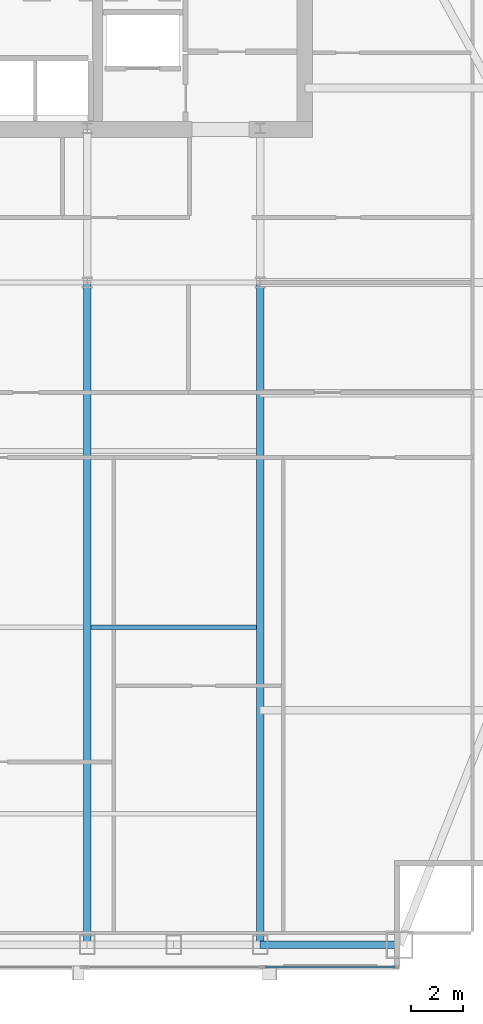
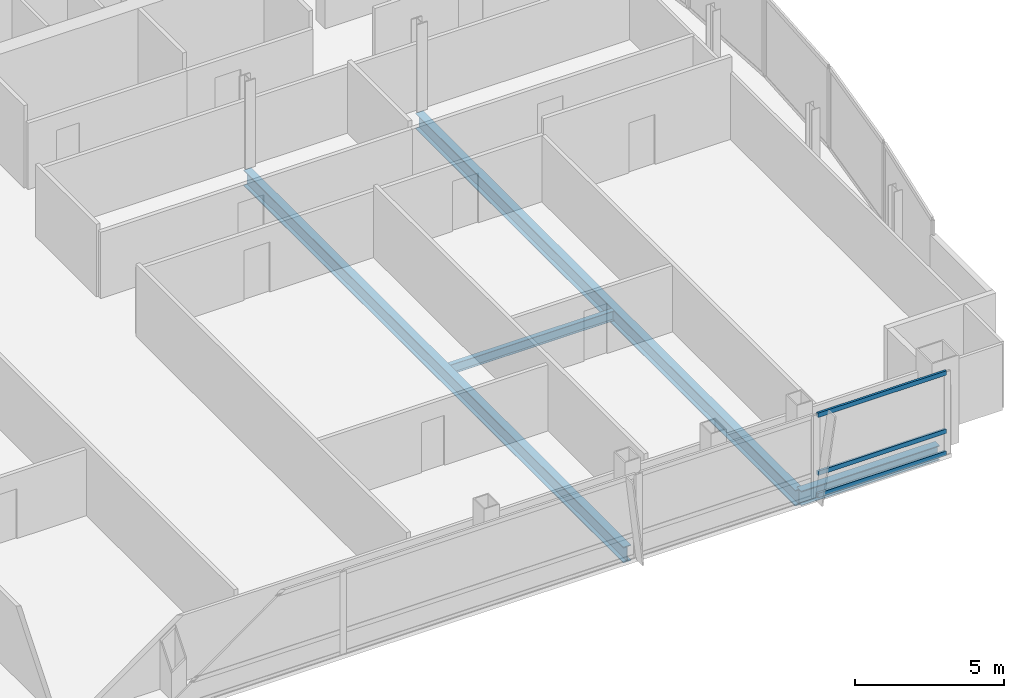
# One storey, part 15 of 30: 4 beams, 3 members, 1 element without a shape of its own.
"""IFC4 building model written with IfcOpenShell, lengths in metres."""

from ifc_helpers import new_model, si_unit, direction, frame, origin, origin_2d, place, context, subcontext, project, spatial, hollow_rectangle, i_section, extrude, material, material_profile, profile_set, type_object, element, aggregate, save


model = new_model("IFC4")

# Units and contexts
model_context = context("Model", 3, precision=1e-05, world=origin(), true_north=direction((0.0, 1.0)))
body_context = subcontext(model_context, "Body", "Model", "MODEL_VIEW")
ifc_project = project(units=[si_unit("LENGTHUNIT", "METRE"), si_unit("AREAUNIT", "SQUARE_METRE"), si_unit("VOLUMEUNIT", "CUBIC_METRE"), si_unit("PLANEANGLEUNIT", "RADIAN"), si_unit("MASSUNIT", "GRAM", prefix="KILO")], contexts=[model_context])

# Site, building, storey
site_placement = place(None, origin())
site = spatial("IfcSite", under=ifc_project, at=site_placement, CompositionType="ELEMENT")
building_placement = place(site_placement, origin())
building = spatial("IfcBuilding", under=site, at=building_placement, Name="Khoronbel Lancet Exchange", CompositionType="ELEMENT")
storey_placement = place(building_placement, frame((0.0, 0.0, 253.39990234375)))
storey = spatial("IfcBuildingStorey", under=building, at=storey_placement, Name="L65", CompositionType="ELEMENT", Elevation=253.39990234375)

# Beams
ifc_material_1 = material(Name="Steel S355", Category="steel")
ifc_material_profile_1 = material_profile(ifc_material_1, i_section(OverallWidth=0.300048828125, OverallDepth=0.64990234375, WebThickness=0.01611328125, FlangeThickness=0.031005859375, at=origin_2d()), Name="HEB 650")
ifc_profile_set_1 = profile_set([ifc_material_profile_1], Name="Steel S355")
beam_type_1 = type_object("IfcBeamType", Name="BM-BG4", PredefinedType="BEAM", material=ifc_profile_set_1)
for number, where, z_axis, x_axis, name in (
    (1, (48.0, 10.14990234375, -0.48486328125), (0.0, 1.0, 0.0), (-1.0, 0.0, 0.0), "Level L65 south primary girder GS5"),
    (2, (54.675048828125, 10.14990234375, -0.48486328125), (0.0, 1.0, 0.0), (-1.0, 0.0, 0.0), "Level L65 south primary girder GS6"),
):
    element("IfcBeam", number, at=place(storey_placement, frame(where, z_axis=z_axis, x_axis=x_axis)), inside=storey, type_object=beam_type_1, Name=name, PredefinedType="BEAM", context=body_context, shape_type="SweptSolid", body=[
        extrude(i_section(OverallWidth=0.300048828125, OverallDepth=0.64990234375, WebThickness=0.01611328125, FlangeThickness=0.031005859375, at=origin_2d()), origin(), (0.0, 0.0, 1.0), 25.550048828125),
    ])
ifc_material_profile_2 = material_profile(ifc_material_1, i_section(OverallWidth=0.179931640625, OverallDepth=0.39990234375, WebThickness=0.008544921875, FlangeThickness=0.013427734375, at=origin_2d()), Name="IPE 400")
ifc_profile_set_2 = profile_set([ifc_material_profile_2], Name="Steel S355")
beam_type_2 = type_object("IfcBeamType", Name="BM-BJ5", PredefinedType="JOIST", material=ifc_profile_set_2)
beam_1_placement = place(storey_placement, frame((48.14990234375, 22.39990234375, -0.35986328125), z_axis=(1.0, 0.0, 0.0), x_axis=(0.0, 1.0, 0.0)))
element("IfcBeam", 3, at=beam_1_placement, inside=storey, type_object=beam_type_2, Name="Level L65 secondary composite joist J10", PredefinedType="JOIST", context=body_context, shape_type="SweptSolid", body=[
    extrude(i_section(OverallWidth=0.179931640625, OverallDepth=0.39990234375, WebThickness=0.008544921875, FlangeThickness=0.013427734375, at=origin_2d()), origin(), (0.0, 0.0, 1.0), 6.375),
])
ifc_material_profile_3 = material_profile(ifc_material_1, i_section(OverallWidth=0.300048828125, OverallDepth=0.60009765625, WebThickness=0.015380859375, FlangeThickness=0.030029296875, at=origin_2d()), Name="HEB 600")
ifc_profile_set_3 = profile_set([ifc_material_profile_3], Name="Steel S355")
beam_type_3 = type_object("IfcBeamType", Name="BM-BSP2", PredefinedType="SPANDREL", material=ifc_profile_set_3)
beam_2_placement = place(storey_placement, frame((54.675048828125, 10.14990234375, -0.4599609375), z_axis=(1.0, 0.0, 0.0), x_axis=(0.0, 1.0, 0.0)))
element("IfcBeam", 4, at=beam_2_placement, inside=storey, type_object=beam_type_3, Name="Level L65 perimeter spandrel beam SP09", PredefinedType="SPANDREL", context=body_context, shape_type="SweptSolid", body=[
    extrude(i_section(OverallWidth=0.300048828125, OverallDepth=0.60009765625, WebThickness=0.015380859375, FlangeThickness=0.030029296875, at=origin_2d()), origin(), (0.0, 0.0, 1.0), 5.375),
])

# Curtain wall, members
ifc_material_2 = material(Name="Low-E Solar Control Insulating Glass", Category="glass")
curtain_wall_type = type_object("IfcCurtainWallType", Name="CW-3", PredefinedType="NOTDEFINED", material=ifc_material_2)
curtain_wall_placement = place(storey_placement, origin())
curtain_wall = element("IfcCurtainWall", 5, at=curtain_wall_placement, inside=storey, type_object=curtain_wall_type, Name="Unitised curtain wall CW-L65-SEV", PredefinedType="NOTDEFINED")
ifc_material_3 = material(Name="Bronze-Anodised Aluminium 6063-T6", Category="aluminium")
ifc_material_profile_4 = material_profile(ifc_material_3, hollow_rectangle(XDim=0.0849609375, YDim=0.179931640625, WallThickness=0.0048828125, at=origin_2d()), Name="ALU TRANSOM 85x180")
ifc_profile_set_4 = profile_set([ifc_material_profile_4], Name="Bronze-Anodised Aluminium 6063-T6")
member_type = type_object("IfcMemberType", Name="MEM-CWT1", PredefinedType="USERDEFINED", material=ifc_profile_set_4)
member_1_placement = place(storey_placement, frame((54.885009765625, 9.2900390625, 0.04248046875), z_axis=(1.0, 0.0, 0.0), x_axis=(0.0, 1.0, 0.0)))
member_1 = element("IfcMember", 6, at=member_1_placement, type_object=member_type, Name="CW3 transom 1.1", ObjectType="TRANSOM", PredefinedType="USERDEFINED", context=body_context, shape_type="SweptSolid", body=[
    extrude(hollow_rectangle(XDim=0.0849609375, YDim=0.179931640625, WallThickness=0.0048828125, at=origin_2d()), origin(), (0.0, 0.0, 1.0), 4.989990234375),
])
member_2_placement = place(storey_placement, frame((54.885009765625, 9.2900390625, 0.9501953125), z_axis=(1.0, 0.0, 0.0), x_axis=(0.0, 1.0, 0.0)))
member_2 = element("IfcMember", 7, at=member_2_placement, type_object=member_type, Name="CW3 transom 1.2", ObjectType="TRANSOM", PredefinedType="USERDEFINED", context=body_context, shape_type="SweptSolid", body=[
    extrude(hollow_rectangle(XDim=0.0849609375, YDim=0.179931640625, WallThickness=0.0048828125, at=origin_2d()), origin(), (0.0, 0.0, 1.0), 4.989990234375),
])
member_3_placement = place(storey_placement, frame((54.885009765625, 9.2900390625, 3.337646484375), z_axis=(1.0, 0.0, 0.0), x_axis=(0.0, 1.0, 0.0)))
member_3 = element("IfcMember", 8, at=member_3_placement, type_object=member_type, Name="CW3 transom 1.3", ObjectType="TRANSOM", PredefinedType="USERDEFINED", context=body_context, shape_type="SweptSolid", body=[
    extrude(hollow_rectangle(XDim=0.0849609375, YDim=0.179931640625, WallThickness=0.0048828125, at=origin_2d()), origin(), (0.0, 0.0, 1.0), 4.989990234375),
])
aggregate(curtain_wall, [member_1, member_2, member_3])

save(model, "model.ifc")
